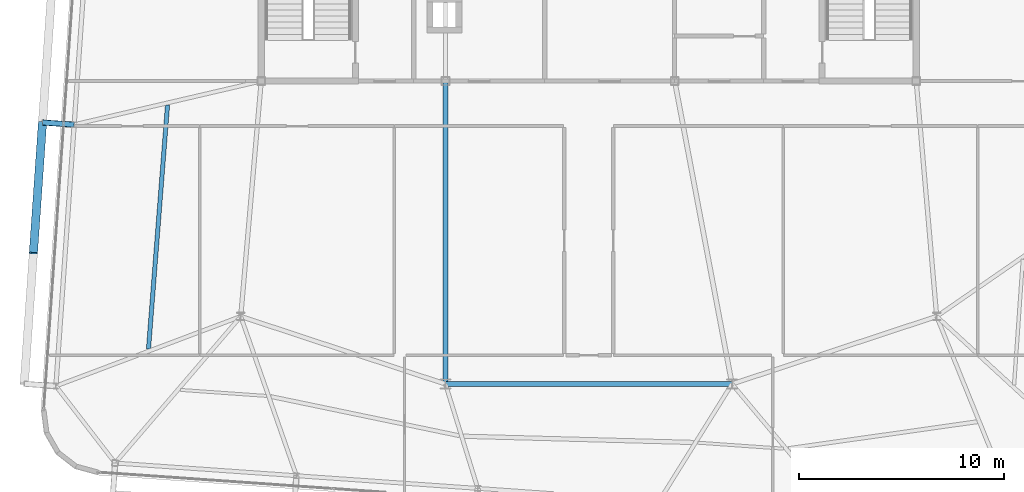
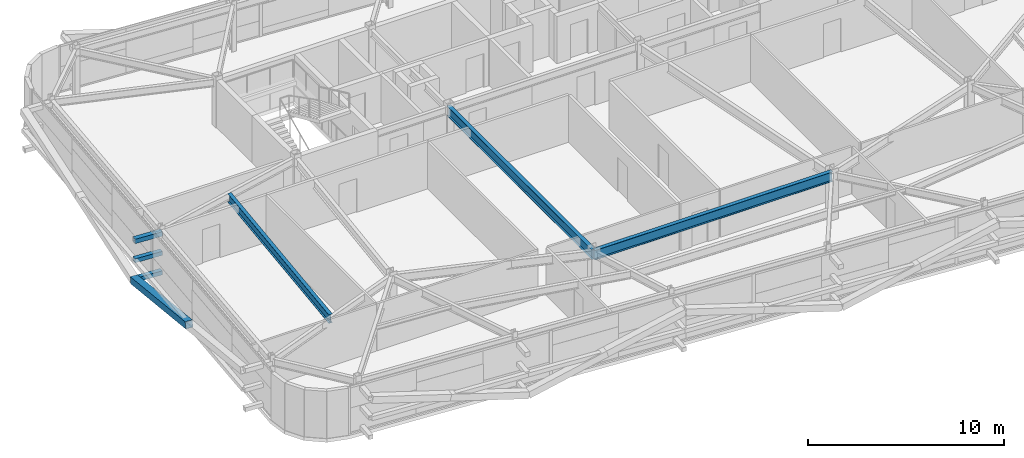
# One storey, part 10 of 39: 4 members, 3 beams.
"""IFC4 building model written with IfcOpenShell, lengths in metres."""

import ifcopenshell
import ifcopenshell.guid

model = None  # the IFC model being written
_history = None  # IfcOwnerHistory: only IFC2X3 demands one
_inside = {}  # id of a spatial element -> (the spatial element, [elements in it])
_under = {}  # id of a project, library or spatial element -> (it, [spatial elements below it])
_declared = {}  # id of a project -> (the project, [libraries it declares])
_typed = {}  # id of a type object -> (the type object, [elements of that type])
_made_of = {}  # id of a material, layer set ... -> (it, [elements and type objects made of it])


def new_model(schema):
    """Start an empty IFC model of exactly this schema.

    Asked for "IFC4X3", IfcOpenShell would pick the latest addendum, in which some entities
    have other attributes; the version numbers below select the first issue.
    IFC2X3 requires an IfcOwnerHistory on every rooted entity: one is made here for all.
    """
    global model, _history
    if schema == "IFC4X3":
        model = ifcopenshell.file(schema_version=(4, 3, 0, 0))
    else:
        model = ifcopenshell.file(schema=schema)
    _inside.clear()
    _under.clear()
    _declared.clear()
    _typed.clear()
    _made_of.clear()
    _history = None
    if model.schema == "IFC2X3":
        org = make("IfcOrganization", Name="unknown")
        user = make(
            "IfcPersonAndOrganization",
            ThePerson=make("IfcPerson", FamilyName="unknown"),
            TheOrganization=org,
        )
        app = make(
            "IfcApplication",
            ApplicationDeveloper=org,
            Version="unknown",
            ApplicationFullName="unknown",
            ApplicationIdentifier="unknown",
        )
        _history = make(
            "IfcOwnerHistory",
            OwningUser=user,
            OwningApplication=app,
            ChangeAction="ADDED",
            CreationDate=0,
        )
    return model


def make(cls, **values):
    """One entity of the class cls with the attributes given. An attribute that is None is left unset."""
    return model.create_entity(
        cls, **{name: value for name, value in values.items() if value is not None}
    )


def rooted(cls, **values):
    """An entity with a GlobalId (a new one), such as an element, a storey or a relation."""
    return make(cls, GlobalId=ifcopenshell.guid.new(), OwnerHistory=_history, **values)


def si_unit(unit_type, name, prefix=None):
    """IfcSIUnit, for example si_unit("LENGTHUNIT", "METRE", prefix="MILLI")."""
    return make("IfcSIUnit", UnitType=unit_type, Prefix=prefix, Name=name)


def assignment(units):
    """IfcUnitAssignment: the units of a project."""
    return None if units is None else make("IfcUnitAssignment", Units=units)


def point(xyz):
    """IfcCartesianPoint."""
    return None if xyz is None else make("IfcCartesianPoint", Coordinates=xyz)


def direction(xyz):
    """IfcDirection."""
    return None if xyz is None else make("IfcDirection", DirectionRatios=xyz)


def frame(location, z_axis=None, x_axis=None):
    """IfcAxis2Placement3D, a coordinate frame: its origin and axes. An axis left out is left unset."""
    return make(
        "IfcAxis2Placement3D",
        Location=point(location),
        Axis=direction(z_axis),
        RefDirection=direction(x_axis),
    )


def frame_2d(location, x_axis=None):
    """IfcAxis2Placement2D, a coordinate frame in the plane: its origin and x axis."""
    return make(
        "IfcAxis2Placement2D", Location=point(location), RefDirection=direction(x_axis)
    )


def origin():
    """The frame at (0, 0, 0) with its axes left unset."""
    return frame((0.0, 0.0, 0.0))


def origin_2d():
    """The frame at (0, 0) in the plane with its x axis left unset."""
    return frame_2d((0.0, 0.0))


def place(relative_to, where):
    """IfcLocalPlacement: puts the frame where relative to a parent placement (None: the world)."""
    return make(
        "IfcLocalPlacement", PlacementRelTo=relative_to, RelativePlacement=where
    )


def context(
    kind, dimensions, precision=None, world=None, true_north=None, identifier=None
):
    """IfcGeometricRepresentationContext, for example the 3D "Model" context."""
    return make(
        "IfcGeometricRepresentationContext",
        ContextIdentifier=identifier,
        ContextType=kind,
        CoordinateSpaceDimension=dimensions,
        Precision=precision,
        WorldCoordinateSystem=world,
        TrueNorth=true_north,
    )


def subcontext(parent, identifier, kind, view, scale=None):
    """IfcGeometricRepresentationSubContext, for example "Body" below "Model"."""
    return make(
        "IfcGeometricRepresentationSubContext",
        ContextIdentifier=identifier,
        ContextType=kind,
        ParentContext=parent,
        TargetScale=scale,
        TargetView=view,
    )


def project(units=None, contexts=None):
    """IfcProject with its units and contexts."""
    return rooted(
        "IfcProject",
        Name="project",
        RepresentationContexts=contexts,
        UnitsInContext=assignment(units),
    )


def spatial(cls, under=None, at=None, **own):
    """A site, building, storey or space (cls), placed at a placement, below another one or the project."""
    s = rooted(cls, ObjectPlacement=at, **own)
    if under is not None:
        _under.setdefault(under.id(), (under, []))[1].append(s)
    return s


def profile(cls, at=None, kind="AREA", **sizes):
    """A parametric profile (cls). Its sizes go by their IFC names, for example OverallWidth=200.0."""
    return make(cls, ProfileType=kind, Position=at, **sizes)


def hollow_rectangle(**sizes):
    """IfcRectangleHollowProfileDef."""
    return profile("IfcRectangleHollowProfileDef", **sizes)


def i_section(**sizes):
    """IfcIShapeProfileDef."""
    return profile("IfcIShapeProfileDef", **sizes)


def extrude(swept, where, along, depth):
    """IfcExtrudedAreaSolid: the profile swept, set in the frame where, extruded along a direction by depth."""
    return make(
        "IfcExtrudedAreaSolid",
        SweptArea=swept,
        Position=where,
        ExtrudedDirection=direction(along),
        Depth=depth,
    )


def shape(context_of_items, identifier, shape_type, items):
    """IfcShapeRepresentation: the items that make up one representation, for example the "Body"."""
    return make(
        "IfcShapeRepresentation",
        ContextOfItems=context_of_items,
        RepresentationIdentifier=identifier,
        RepresentationType=shape_type,
        Items=items,
    )


def source(mapping_origin, context_of_items, identifier, shape_type, items):
    """IfcRepresentationMap: a shape defined once, which mapped items show again and again."""
    return make(
        "IfcRepresentationMap",
        MappingOrigin=mapping_origin,
        MappedRepresentation=shape(context_of_items, identifier, shape_type, items),
    )


def transform(
    local_origin,
    x_axis=None,
    y_axis=None,
    z_axis=None,
    scale=None,
    scale2=None,
    scale3=None,
    uniform=True,
):
    """IfcCartesianTransformationOperator3D, or its non-uniform kind. x_axis, y_axis, z_axis: its Axis1, 2, 3."""
    if uniform:
        return make(
            "IfcCartesianTransformationOperator3D",
            Axis1=direction(x_axis),
            Axis2=direction(y_axis),
            LocalOrigin=point(local_origin),
            Scale=scale,
            Axis3=direction(z_axis),
        )
    return make(
        "IfcCartesianTransformationOperator3DnonUniform",
        Axis1=direction(x_axis),
        Axis2=direction(y_axis),
        LocalOrigin=point(local_origin),
        Scale=scale,
        Axis3=direction(z_axis),
        Scale2=scale2,
        Scale3=scale3,
    )


def mapped(mapping_source, mapping_target):
    """IfcMappedItem: shows the shape of a source again, moved by a transform."""
    return make(
        "IfcMappedItem", MappingSource=mapping_source, MappingTarget=mapping_target
    )


def material(Name=None, Category=None):
    """IfcMaterial."""
    return make("IfcMaterial", Name=Name, Category=Category)


def material_profile(
    of_material, cross_section, Name=None, Category=None, Priority=None
):
    """IfcMaterialProfile: a cross section and its material."""
    return make(
        "IfcMaterialProfile",
        Name=Name,
        Material=of_material,
        Profile=cross_section,
        Priority=Priority,
        Category=Category,
    )


def profile_set(profiles, Name=None, composite=None):
    """IfcMaterialProfileSet."""
    return make(
        "IfcMaterialProfileSet",
        Name=Name,
        MaterialProfiles=profiles,
        CompositeProfile=composite,
    )


def made_of(thing, what):
    """Note that an element or type object is made of a material, layer set ...; save() writes the relation."""
    if what is not None:
        _made_of.setdefault(what.id(), (what, []))[1].append(thing)
    return thing


def type_object(cls, material=None, **own):
    """A type object (cls), such as IfcWallType, which elements share."""
    return made_of(rooted(cls, **own), material)


def element(
    cls,
    number,
    at=None,
    inside=None,
    cuts=None,
    type_object=None,
    material=None,
    context=None,
    identifier="Body",
    shape_type=None,
    held_by="IfcProductDefinitionShape",
    body=None,
    shapes=None,
    **own,
):
    """One element of the class cls, such as IfcWall. Its Tag is "e" and its number.

    at: its placement. inside: the storey or other place that contains it. cuts: it is an
    opening in that element (IfcRelVoidsElement). A single representation is given by context,
    identifier, shape_type and body (its items); several are given by shapes. held_by: the class
    of the entity that holds the representations. save() writes the other relations.
    """
    e = rooted(cls, Tag="e%d" % number, ObjectPlacement=at, **own)
    if body is not None:
        shapes = [shape(context, identifier, shape_type, body)]
    if shapes is not None:
        e.Representation = make(held_by, Representations=shapes)
    if inside is not None:
        _inside.setdefault(inside.id(), (inside, []))[1].append(e)
    if cuts is not None:
        rooted(
            "IfcRelVoidsElement", RelatingBuildingElement=cuts, RelatedOpeningElement=e
        )
    if type_object is not None:
        _typed.setdefault(type_object.id(), (type_object, []))[1].append(e)
    return made_of(e, material)


def aggregate(whole, parts):
    """IfcRelAggregates: a whole, such as a stair, and the parts it consists of."""
    return rooted("IfcRelAggregates", RelatingObject=whole, RelatedObjects=parts)


def save(model, path):
    """Write the relations noted so far, then the file.

    IfcRelAggregates (storeys below a building ...), IfcRelContainedInSpatialStructure (elements
    in a storey), IfcRelDefinesByType, IfcRelAssociatesMaterial and IfcRelDeclares: one each for
    every whole, place, type object, material and project.
    """
    for whole, parts in _under.values():
        aggregate(whole, parts)
    for where, things in _inside.values():
        rooted(
            "IfcRelContainedInSpatialStructure",
            RelatedElements=things,
            RelatingStructure=where,
        )
    for kind, things in _typed.values():
        rooted("IfcRelDefinesByType", RelatedObjects=things, RelatingType=kind)
    for what, things in _made_of.values():
        rooted("IfcRelAssociatesMaterial", RelatedObjects=things, RelatingMaterial=what)
    for by, libraries in _declared.values():
        rooted("IfcRelDeclares", RelatingContext=by, RelatedDefinitions=libraries)
    model.write(path)


model = new_model("IFC4")

# Units and contexts
model_context = context("Model", 3, precision=1e-05, world=origin(), true_north=direction((0.0, 1.0)))
body_context = subcontext(model_context, "Body", "Model", "MODEL_VIEW")
ifc_project = project(units=[si_unit("LENGTHUNIT", "METRE"), si_unit("AREAUNIT", "SQUARE_METRE"), si_unit("VOLUMEUNIT", "CUBIC_METRE"), si_unit("PLANEANGLEUNIT", "RADIAN"), si_unit("MASSUNIT", "GRAM", prefix="KILO")], contexts=[model_context])

# Site, building, storey
site_placement = place(None, origin())
site = spatial("IfcSite", under=ifc_project, at=site_placement, CompositionType="ELEMENT")
building_placement = place(site_placement, origin())
building = spatial("IfcBuilding", under=site, at=building_placement, Name="Taldren Reach Tower", CompositionType="ELEMENT")
storey_placement = place(building_placement, frame((0.0, 0.0, 129.85009765625)))
storey = spatial("IfcBuildingStorey", under=building, at=storey_placement, Name="L39", CompositionType="ELEMENT", Elevation=129.85009765625)

# Beams
ifc_material_1 = material(Name="Steel Gr 350 (350PLUS)", Category="steel")
ifc_material_profile_1 = material_profile(ifc_material_1, i_section(OverallWidth=0.22802734375, OverallDepth=0.60205078125, WebThickness=0.010498046875, FlangeThickness=0.014892578125, at=origin_2d()), Name="610UB101")
ifc_profile_set_1 = profile_set([ifc_material_profile_1], Name="Steel Gr 350 (350PLUS)")
beam_type_1 = type_object("IfcBeamType", Name="BM-UB610B", PredefinedType="BEAM", material=ifc_profile_set_1)
shared_shape_1 = source(origin(), body_context, "Body", "SweptSolid", [
    extrude(i_section(OverallWidth=0.22802734375, OverallDepth=0.60205078125, WebThickness=0.010498046875, FlangeThickness=0.014892578125, at=origin_2d()), origin(), (0.0, 0.0, 1.0), 14.0),
])
beam_1_placement = place(storey_placement, frame((28.0, 9.199951171875, 2.62890625), z_axis=(1.0, 0.0, 0.0), x_axis=(0.0, 1.0, 0.0)))
element("IfcBeam", 1, at=beam_1_placement, inside=storey, type_object=beam_type_1, Name="Core-spine girder L39-SP11", PredefinedType="BEAM", context=body_context, shape_type="MappedRepresentation", body=[
    mapped(shared_shape_1, transform((0.0, 0.0, 0.0), scale=1.0)),
])
shared_shape_2 = source(origin(), body_context, "Body", "SweptSolid", [
    extrude(i_section(OverallWidth=0.22802734375, OverallDepth=0.60205078125, WebThickness=0.010498046875, FlangeThickness=0.014892578125, at=origin_2d()), origin(), (0.0, 0.0, 1.0), 14.800048828125),
])
beam_2_placement = place(storey_placement, frame((28.0, 24.0, 2.62890625), z_axis=(0.0, -1.0, 0.0), x_axis=(1.0, 0.0, 0.0)))
element("IfcBeam", 2, at=beam_2_placement, inside=storey, type_object=beam_type_1, Name="Core-spine girder L39-SP14", PredefinedType="BEAM", context=body_context, shape_type="MappedRepresentation", body=[
    mapped(shared_shape_2, transform((0.0, 0.0, 0.0), scale=1.0)),
])

# Members
ifc_material_2 = material(Name="Steel Gr 450 (C450L0)", Category="steel")
ifc_material_profile_2 = material_profile(ifc_material_2, hollow_rectangle(XDim=0.27490234375, YDim=0.27490234375, WallThickness=0.00927734375, at=origin_2d()), Name="275x275x9.3SHS")
ifc_profile_set_2 = profile_set([ifc_material_profile_2], Name="Steel Gr 450 (C450L0)")
member_type_1 = type_object("IfcMemberType", Name="MB-TIE273", PredefinedType="STRUT", material=ifc_profile_set_2)
shared_shape_3 = source(origin(), body_context, "Body", "SweptSolid", [
    extrude(hollow_rectangle(XDim=0.27490234375, YDim=0.27490234375, WallThickness=0.00927734375, at=origin_2d()), origin(), (0.0, 0.0, 1.0), 1.550048828125),
])
member_1_placement = place(storey_placement, frame((9.86181640625, 21.868408203125, 2.64990234375), z_axis=(-0.99756313426, 0.06976957191, 0.0), x_axis=(-0.06976957191, -0.99756313426, 0.0)))
element("IfcMember", 3, at=member_1_placement, inside=storey, type_object=member_type_1, Name="Exoskeleton diaphragm tie strut B3-W2 L39", PredefinedType="STRUT", context=body_context, shape_type="MappedRepresentation", body=[
    mapped(shared_shape_3, transform((0.0, 0.0, 0.0), scale=1.0)),
])
ifc_material_3 = material(Name="Steel Gr 350 (C350L0)", Category="steel")
ifc_material_profile_3 = material_profile(ifc_material_3, hollow_rectangle(XDim=0.25, YDim=0.25, WallThickness=0.010009765625, at=origin_2d()), Name="250x250x10.0SHS")
ifc_profile_set_3 = profile_set([ifc_material_profile_3], Name="Steel Gr 350 (C350L0)")
member_type_2 = type_object("IfcMemberType", Name="MB-POST250", PredefinedType="POST", material=ifc_profile_set_3)
shared_shape_4 = source(origin(), body_context, "Body", "SweptSolid", [
    extrude(hollow_rectangle(XDim=0.25, YDim=0.25, WallThickness=0.010009765625, at=origin_2d()), origin(), (0.0, 0.0, 1.0), 1.550048828125),
])
for number, where, z_axis, x_axis, name in (
    (4, (9.86181640625, 21.868408203125, 0.219970703125), (-0.99756313426, 0.06976957191, 0.0), (-0.06976957191, -0.99756313426, 0.0), "Exoskeleton base diaphragm tie strut B3-W2 L39"),
    (5, (9.86181640625, 21.868408203125, 1.434814453125), (-0.99756313426, 0.06976957191, 0.0), (-0.06976957191, -0.99756313426, 0.0), "Exoskeleton mid-tier diaphragm tie B3-W2 L39"),
):
    element("IfcMember", number, at=place(storey_placement, frame(where, z_axis=z_axis, x_axis=x_axis)), inside=storey, type_object=member_type_2, Name=name, PredefinedType="POST", context=body_context, shape_type="MappedRepresentation", body=[
        mapped(shared_shape_4, transform((0.0, 0.0, 0.0), scale=1.0)),
    ])

# Beam
ifc_material_profile_4 = material_profile(ifc_material_1, i_section(OverallWidth=0.208984375, OverallDepth=0.532958984375, WebThickness=0.01025390625, FlangeThickness=0.015625, at=origin_2d()), Name="530UB92.4")
ifc_profile_set_4 = profile_set([ifc_material_profile_4], Name="Steel Gr 350 (350PLUS)")
beam_type_2 = type_object("IfcBeamType", Name="BM-UB530A", PredefinedType="BEAM", material=ifc_profile_set_4)
shared_shape_5 = source(origin(), body_context, "Body", "SweptSolid", [
    extrude(i_section(OverallWidth=0.208984375, OverallDepth=0.532958984375, WebThickness=0.01025390625, FlangeThickness=0.015625, at=origin_2d()), origin(), (0.0, 0.0, 1.0), 11.965576171875),
])
beam_3_placement = place(storey_placement, frame((13.49267578125, 10.90478515625, 2.663330078125), z_axis=(0.077757433297, 0.996972307322, 0.0), x_axis=(-0.996972307322, 0.077757433297, 0.0)))
element("IfcBeam", 6, at=beam_3_placement, inside=storey, type_object=beam_type_2, Name="Secondary floor beam B3 J6 L39", PredefinedType="BEAM", context=body_context, shape_type="MappedRepresentation", body=[
    mapped(shared_shape_5, transform((0.0, 0.0, 0.0), scale=1.0)),
])

# Member
ifc_material_profile_5 = material_profile(ifc_material_2, hollow_rectangle(XDim=0.409912109375, YDim=0.409912109375, WallThickness=0.01611328125, at=origin_2d()), Name="410x410x16.0SHS")
ifc_profile_set_5 = profile_set([ifc_material_profile_5], Name="Steel Gr 450 (C450L0)")
member_type_3 = type_object("IfcMemberType", Name="MB-EXO406", PredefinedType="BRACE", material=ifc_profile_set_5)
shared_shape_6 = source(origin(), body_context, "Body", "SweptSolid", [
    extrude(hollow_rectangle(XDim=0.409912109375, YDim=0.409912109375, WallThickness=0.01611328125, at=origin_2d()), origin(), (0.0, 0.0, 1.0), 6.514404296875),
])
member_2_placement = place(storey_placement, frame((8.3154296875, 21.9765625, 0.219970703125), z_axis=(-0.068508304784, -0.980066016634, 0.186486501425), x_axis=(0.997565791441, -0.069731569223, 0.0)))
element("IfcMember", 7, at=member_2_placement, inside=storey, type_object=member_type_3, Name="Exoskeleton Diagrid Brace B3-W1 L39", PredefinedType="BRACE", context=body_context, shape_type="MappedRepresentation", body=[
    mapped(shared_shape_6, transform((0.0, 0.0, 0.0), scale=1.0)),
])

save(model, "model.ifc")
